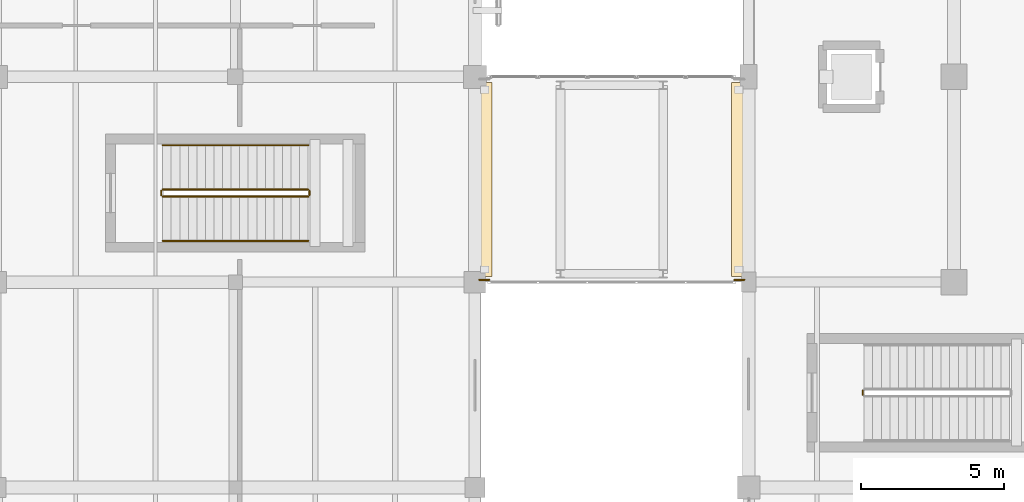
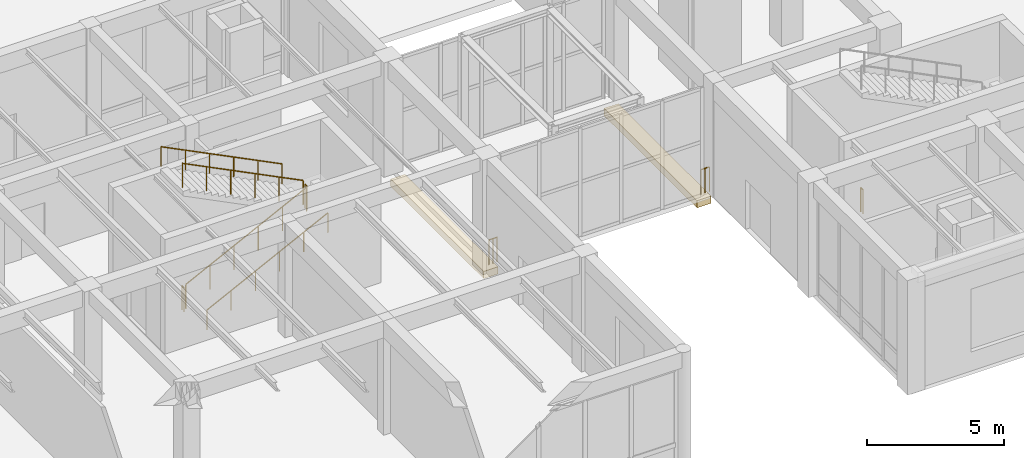
# One storey, part 150 of 169: 9 railings, 2 coverings.
"""IFC4 building model written with IfcOpenShell, lengths in metres."""

from ifc_helpers import new_model, si_unit, direction, frame, origin, origin_2d, place, context, subcontext, project, spatial, polyline, circle, outline, extrude, material, layer, layer_set, type_object, element, save


model = new_model("IFC4")

# Units and contexts
model_context = context("Model", 3, precision=1e-05, world=origin(), true_north=direction((0.0, 1.0)))
body_context = subcontext(model_context, "Body", "Model", "MODEL_VIEW")
ifc_project = project(units=[si_unit("LENGTHUNIT", "METRE"), si_unit("AREAUNIT", "SQUARE_METRE"), si_unit("VOLUMEUNIT", "CUBIC_METRE"), si_unit("PLANEANGLEUNIT", "RADIAN"), si_unit("MASSUNIT", "GRAM", prefix="KILO")], contexts=[model_context])

# Site, building, storey
site_placement = place(None, origin())
site = spatial("IfcSite", under=ifc_project, at=site_placement, CompositionType="ELEMENT")
building_placement = place(site_placement, origin())
building = spatial("IfcBuilding", under=site, at=building_placement, Name="Mazaris Harbour Polytechnic", CompositionType="ELEMENT")
storey_placement = place(building_placement, origin())
storey = spatial("IfcBuildingStorey", under=building, at=storey_placement, Name="L00", CompositionType="ELEMENT", Elevation=0.0)

# Coverings
ifc_material_1 = material(Name="Concrete C40/50", Category="concrete")
ifc_layer = layer(ifc_material_1, 0.320068359375, Name="Concrete C40/50")
ifc_layer_set = layer_set([ifc_layer], Name="Concrete C40/50")
covering_type = type_object("IfcCoveringType", Name="Bridge Bearing Corbel 600 Exterior", PredefinedType="CLADDING", material=ifc_layer_set)
covering_1_placement = place(storey_placement, frame((0.0, 0.0, -0.64990234375)))
element("IfcCovering", 1, at=covering_1_placement, inside=storey, type_object=covering_type, Name="PB-E1 L00 600mm Bridge Bearing Seat Corbel W", PredefinedType="CLADDING", context=body_context, shape_type="SweptSolid", body=[
    extrude(outline(polyline([(112.800048828125, 21.800048828125), (113.39990234375, 21.800048828125), (113.39990234375, 28.60009765625), (112.800048828125, 28.60009765625), (112.800048828125, 21.800048828125)])), origin(), (0.0, 0.0, 1.0), 0.31982421875),
])
covering_2_placement = place(storey_placement, frame((0.0, 0.0, -0.64990234375)))
element("IfcCovering", 2, at=covering_2_placement, inside=storey, type_object=covering_type, Name="PB-E1 L00 600mm Bridge Bearing Seat Corbel E", PredefinedType="CLADDING", context=body_context, shape_type="SweptSolid", body=[
    extrude(outline(polyline([(121.800048828125, 21.800048828125), (122.39990234375, 21.800048828125), (122.39990234375, 28.60009765625), (121.800048828125, 28.60009765625), (121.800048828125, 21.800048828125)])), origin(), (0.0, 0.0, 1.0), 0.31982421875),
])

# Railings
ifc_material_2 = material(Name="Steel S355", Category="steel")
railing_type_1 = type_object("IfcRailingType", Name="Mezzanine Steel Guardrail 1100 Exterior", PredefinedType="GUARDRAIL", material=ifc_material_2)
for number, where, name in (
    (3, (112.949951171875, 21.679931640625, 0.0), "PB-E1 L00 Bridge End Guard W0"),
    (4, (121.89990234375, 21.679931640625, 0.0), "PB-E1 L00 Bridge End Guard E0"),
):
    element("IfcRailing", number, at=place(storey_placement, frame(where)), inside=storey, type_object=railing_type_1, Name=name, PredefinedType="GUARDRAIL", context=body_context, shape_type="SweptSolid", body=[
        extrude(circle(Radius=0.02392578125, at=origin_2d()), frame((0.0, 0.0, 1.09619140625), z_axis=(1.0, 0.0, 0.0), x_axis=(0.0, 1.0, 0.0)), (0.0, 0.0, 1.0), 0.35009765625),
        extrude(circle(Radius=0.02099609375, at=origin_2d()), origin(), (0.0, 0.0, 1.0), 1.072021484375),
        extrude(circle(Radius=0.02099609375, at=origin_2d()), frame((0.175048828125, 0.0, 0.0)), (0.0, 0.0, 1.0), 1.072021484375),
        extrude(circle(Radius=0.02099609375, at=origin_2d()), frame((0.35009765625, 0.0, 0.0)), (0.0, 0.0, 1.0), 1.072021484375),
    ])
ifc_material_3 = material(Name="Stainless Steel S355", Category="steel")
railing_type_2 = type_object("IfcRailingType", Name="Stair Wall Handrail 900", PredefinedType="HANDRAIL", material=ifc_material_3)
railing_1_placement = place(storey_placement, frame((101.85009765625, 23.050048828125, 0.14990234375)))
element("IfcRailing", 5, at=railing_1_placement, inside=storey, type_object=railing_type_2, Name="L00 ST06 stair handrail 1", PredefinedType="HANDRAIL", context=body_context, shape_type="SweptSolid", body=[
    extrude(circle(Radius=0.02392578125, at=origin_2d()), frame((0.0, 0.0, 0.8759765625), z_axis=(0.894418627299, 0.0, 0.447230722492), x_axis=(0.0, 1.0, 0.0)), (0.0, 0.0, 1.0), 5.701904296875),
    extrude(circle(Radius=0.02099609375, at=origin_2d()), origin(), (0.0, 0.0, 1.0), 0.851806640625),
    extrude(circle(Radius=0.02099609375, at=origin_2d()), frame((1.02001953125, 0.0, 0.510009765625)), (0.0, 0.0, 1.0), 0.851806640625),
    extrude(circle(Radius=0.02099609375, at=origin_2d()), frame((2.0400390625, 0.0, 1.02001953125)), (0.0, 0.0, 1.0), 0.851806640625),
    extrude(circle(Radius=0.02099609375, at=origin_2d()), frame((3.059814453125, 0.0, 1.530029296875)), (0.0, 0.0, 1.0), 0.851806640625),
    extrude(circle(Radius=0.02099609375, at=origin_2d()), frame((4.079833984375, 0.0, 2.0400390625)), (0.0, 0.0, 1.0), 0.851806640625),
    extrude(circle(Radius=0.02099609375, at=origin_2d()), frame((5.099853515625, 0.0, 2.550048828125)), (0.0, 0.0, 1.0), 0.851806640625),
])
railing_2_placement = place(storey_placement, frame((106.949951171875, 26.39990234375, 2.85009765625)))
element("IfcRailing", 6, at=railing_2_placement, inside=storey, type_object=railing_type_2, Name="L00 ST06 stair handrail 2", PredefinedType="HANDRAIL", context=body_context, shape_type="SweptSolid", body=[
    extrude(circle(Radius=0.02392578125, at=origin_2d()), frame((0.0, 0.0, 0.8759765625), z_axis=(-0.894435754537, 0.0, 0.447196468016), x_axis=(0.0, -1.0, 0.0)), (0.0, 0.0, 1.0), 5.70166015625),
    extrude(circle(Radius=0.02099609375, at=origin_2d()), origin(), (0.0, 0.0, 1.0), 0.851806640625),
    extrude(circle(Radius=0.02099609375, at=origin_2d()), frame((-1.02001953125, 0.0, 0.510009765625)), (0.0, 0.0, 1.0), 0.851806640625),
    extrude(circle(Radius=0.02099609375, at=origin_2d()), frame((-2.0400390625, 0.0, 1.02001953125)), (0.0, 0.0, 1.0), 0.851806640625),
    extrude(circle(Radius=0.02099609375, at=origin_2d()), frame((-3.059814453125, 0.0, 1.52978515625)), (0.0, 0.0, 1.0), 0.851806640625),
    extrude(circle(Radius=0.02099609375, at=origin_2d()), frame((-4.079833984375, 0.0, 2.039794921875)), (0.0, 0.0, 1.0), 0.851806640625),
    extrude(circle(Radius=0.02099609375, at=origin_2d()), frame((-5.099853515625, 0.0, 2.5498046875)), (0.0, 0.0, 1.0), 0.851806640625),
])
ifc_material_4 = material(Name="Steel S355", Category="steel")
railing_type_3 = type_object("IfcRailingType", Name="Stair Well Guardrail 1100", PredefinedType="GUARDRAIL", material=ifc_material_4)
railing_3_placement = place(storey_placement, frame((126.39990234375, 17.64990234375, 0.0)))
element("IfcRailing", 7, at=railing_3_placement, inside=storey, type_object=railing_type_3, Name="L00 ST03 stair guard 4", PredefinedType="GUARDRAIL", context=body_context, shape_type="SweptSolid", body=[
    extrude(circle(Radius=0.02392578125, at=origin_2d()), frame((0.0, 0.0, 1.076171875), z_axis=(0.0, 1.0, 0.0), x_axis=(-1.0, 0.0, 0.0)), (0.0, 0.0, 1.0), 0.150146484375),
    extrude(circle(Radius=0.02099609375, at=origin_2d()), origin(), (0.0, 0.0, 1.0), 1.052001953125),
    extrude(circle(Radius=0.02099609375, at=origin_2d()), frame((0.0, 0.150146484375, 0.0)), (0.0, 0.0, 1.0), 1.052001953125),
])
railing_4_placement = place(storey_placement, frame((101.85009765625, 24.60009765625, 0.14990234375)))
element("IfcRailing", 8, at=railing_4_placement, inside=storey, type_object=railing_type_3, Name="L00 ST06 stair guard 1", PredefinedType="GUARDRAIL", context=body_context, shape_type="SweptSolid", body=[
    extrude(circle(Radius=0.02392578125, at=origin_2d()), frame((0.0, 0.0, 1.076171875), z_axis=(0.894418627299, 0.0, 0.447230722492), x_axis=(0.0, 1.0, 0.0)), (0.0, 0.0, 1.0), 5.701904296875),
    extrude(circle(Radius=0.02099609375, at=origin_2d()), origin(), (0.0, 0.0, 1.0), 1.052001953125),
    extrude(circle(Radius=0.02099609375, at=origin_2d()), frame((1.02001953125, 0.0, 0.510009765625)), (0.0, 0.0, 1.0), 1.052001953125),
    extrude(circle(Radius=0.02099609375, at=origin_2d()), frame((2.0400390625, 0.0, 1.02001953125)), (0.0, 0.0, 1.0), 1.052001953125),
    extrude(circle(Radius=0.02099609375, at=origin_2d()), frame((3.059814453125, 0.0, 1.530029296875)), (0.0, 0.0, 1.0), 1.052001953125),
    extrude(circle(Radius=0.02099609375, at=origin_2d()), frame((4.079833984375, 0.0, 2.0400390625)), (0.0, 0.0, 1.0), 1.052001953125),
    extrude(circle(Radius=0.02099609375, at=origin_2d()), frame((5.099853515625, 0.0, 2.550048828125)), (0.0, 0.0, 1.0), 1.052001953125),
])
railing_5_placement = place(storey_placement, frame((107.0, 24.64990234375, 2.699951171875)))
element("IfcRailing", 9, at=railing_5_placement, inside=storey, type_object=railing_type_3, Name="L00 ST06 stair guard 2", PredefinedType="GUARDRAIL", context=body_context, shape_type="SweptSolid", body=[
    extrude(circle(Radius=0.02392578125, at=origin_2d()), frame((0.0, 0.0, 1.076171875), z_axis=(0.0, 1.0, 0.0), x_axis=(-1.0, 0.0, 0.0)), (0.0, 0.0, 1.0), 0.150146484375),
    extrude(circle(Radius=0.02099609375, at=origin_2d()), origin(), (0.0, 0.0, 1.0), 1.052001953125),
    extrude(circle(Radius=0.02099609375, at=origin_2d()), frame((0.0, 0.150146484375, 0.0)), (0.0, 0.0, 1.0), 1.052001953125),
])
railing_6_placement = place(storey_placement, frame((106.949951171875, 24.85009765625, 2.85009765625)))
element("IfcRailing", 10, at=railing_6_placement, inside=storey, type_object=railing_type_3, Name="L00 ST06 stair guard 3", PredefinedType="GUARDRAIL", context=body_context, shape_type="SweptSolid", body=[
    extrude(circle(Radius=0.02392578125, at=origin_2d()), frame((0.0, 0.0, 1.076171875), z_axis=(-0.894435754537, 0.0, 0.447196468016), x_axis=(0.0, -1.0, 0.0)), (0.0, 0.0, 1.0), 5.70166015625),
    extrude(circle(Radius=0.02099609375, at=origin_2d()), origin(), (0.0, 0.0, 1.0), 1.052001953125),
    extrude(circle(Radius=0.02099609375, at=origin_2d()), frame((-1.02001953125, 0.0, 0.510009765625)), (0.0, 0.0, 1.0), 1.052001953125),
    extrude(circle(Radius=0.02099609375, at=origin_2d()), frame((-2.0400390625, 0.0, 1.02001953125)), (0.0, 0.0, 1.0), 1.052001953125),
    extrude(circle(Radius=0.02099609375, at=origin_2d()), frame((-3.059814453125, 0.0, 1.52978515625)), (0.0, 0.0, 1.0), 1.052001953125),
    extrude(circle(Radius=0.02099609375, at=origin_2d()), frame((-4.079833984375, 0.0, 2.039794921875)), (0.0, 0.0, 1.0), 1.052001953125),
    extrude(circle(Radius=0.02099609375, at=origin_2d()), frame((-5.099853515625, 0.0, 2.5498046875)), (0.0, 0.0, 1.0), 1.052001953125),
])
railing_7_placement = place(storey_placement, frame((101.800048828125, 24.64990234375, 0.0)))
element("IfcRailing", 11, at=railing_7_placement, inside=storey, type_object=railing_type_3, Name="L00 ST06 stair guard 4", PredefinedType="GUARDRAIL", context=body_context, shape_type="SweptSolid", body=[
    extrude(circle(Radius=0.02392578125, at=origin_2d()), frame((0.0, 0.0, 1.076171875), z_axis=(0.0, 1.0, 0.0), x_axis=(-1.0, 0.0, 0.0)), (0.0, 0.0, 1.0), 0.150146484375),
    extrude(circle(Radius=0.02099609375, at=origin_2d()), origin(), (0.0, 0.0, 1.0), 1.052001953125),
    extrude(circle(Radius=0.02099609375, at=origin_2d()), frame((0.0, 0.150146484375, 0.0)), (0.0, 0.0, 1.0), 1.052001953125),
])

save(model, "model.ifc")
